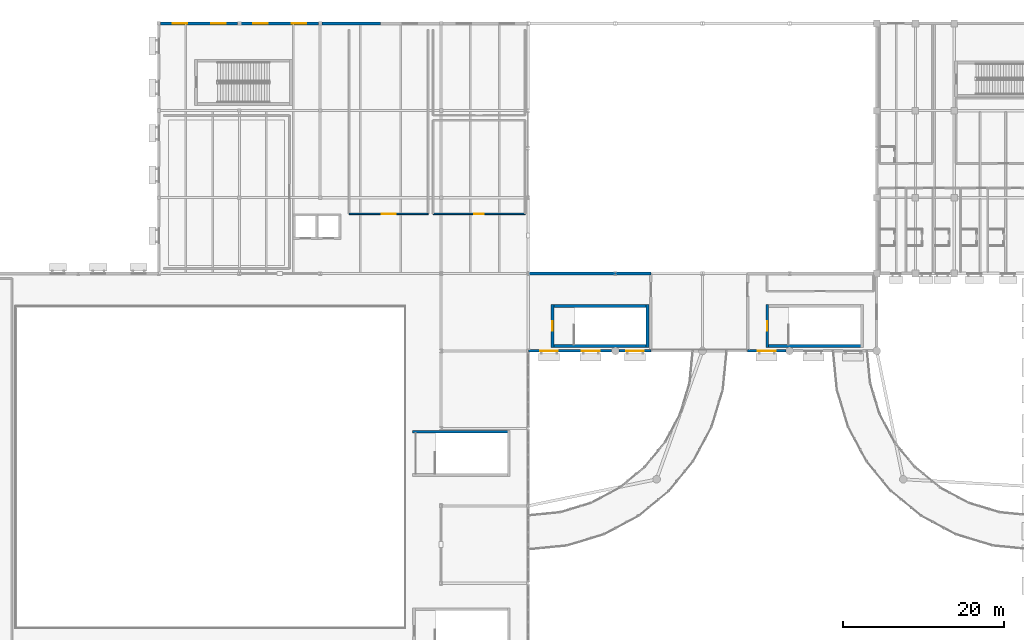
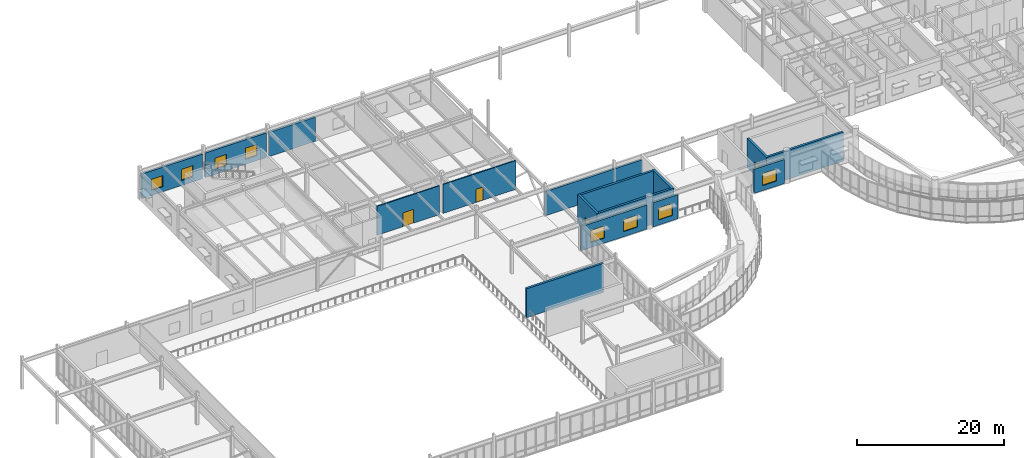
# One storey, part 44 of 68: 17 walls, 8 windows, 4 doors, 12 openings.
"""IFC4 building model written with IfcOpenShell, lengths in metres."""

from ifc_helpers import new_model, si_unit, direction, frame, frame_2d, origin, place, context, subcontext, project, spatial, rectangle, extrude, material, layer, layer_set, type_object, element, fill, save


model = new_model("IFC4")

# Units and contexts
model_context = context("Model", 3, precision=1e-05, world=origin(), true_north=direction((0.0, 1.0)))
body_context = subcontext(model_context, "Body", "Model", "MODEL_VIEW")
ifc_project = project(units=[si_unit("LENGTHUNIT", "METRE"), si_unit("AREAUNIT", "SQUARE_METRE"), si_unit("VOLUMEUNIT", "CUBIC_METRE"), si_unit("PLANEANGLEUNIT", "RADIAN"), si_unit("MASSUNIT", "GRAM", prefix="KILO")], contexts=[model_context])

# Site, building, storey
site_placement = place(None, origin())
site = spatial("IfcSite", under=ifc_project, at=site_placement, CompositionType="ELEMENT")
building_placement = place(site_placement, origin())
building = spatial("IfcBuilding", under=site, at=building_placement, Name="Veldera Park Congress Hotel", CompositionType="ELEMENT")
storey_placement = place(building_placement, frame((0.0, 0.0, 10.800048828125)))
storey = spatial("IfcBuildingStorey", under=building, at=storey_placement, Name="L02", CompositionType="ELEMENT", Elevation=10.800048828125)

# Wall, openings, windows
ifc_material_1 = material(Name="Cross-laminated timber CLT V2M1.1", Category="wood")
ifc_layer_1 = layer(ifc_material_1, 0.320068359375)
ifc_layer_set_1 = layer_set([ifc_layer_1], Name="Cross-laminated timber CLT V2M1.1")
wall_type_1 = type_object("IfcWallType", Name="EW-CLT320", PredefinedType="STANDARD", material=ifc_layer_set_1)
wall_1_placement = place(storey_placement, frame((-1.594482421875, 17.39990234375, 0.0), z_axis=(0.0, 0.0, 1.0), x_axis=(1.0, 0.0, 0.0)))
wall_1 = element("IfcWall", 1, at=wall_1_placement, inside=storey, type_object=wall_type_1, Name="L02 Exterior Wall EW3-L02-0084", PredefinedType="STANDARD", context=body_context, shape_type="SweptSolid", body=[
    extrude(rectangle(XDim=10.321533203125, YDim=0.320068359375, at=frame_2d((5.16064453125, 0.0))), origin(), (0.0, 0.0, 1.0), 4.015869140625),
])
opening_1_placement = place(wall_1_placement, frame((1.48046875, 0.0, 0.85009765625)))
opening_1 = element("IfcOpeningElement", 2, at=opening_1_placement, cuts=wall_1, Name="Opening WIN-2200", PredefinedType="OPENING", context=body_context, shape_type="SweptSolid", body=[
    extrude(rectangle(XDim=2.199951171875, YDim=2.0, at=frame_2d((1.10009765625, 1.0))), frame((0.0, 0.172119140625, 0.0), z_axis=(0.0, -1.0, 0.0), x_axis=(1.0, 0.0, 0.0)), (0.0, 0.0, 1.0), 0.343994140625),
])
opening_2_placement = place(wall_1_placement, frame((6.64111328125, 0.0, 0.85009765625)))
opening_2 = element("IfcOpeningElement", 3, at=opening_2_placement, cuts=wall_1, Name="Opening WIN-2200", PredefinedType="OPENING", context=body_context, shape_type="SweptSolid", body=[
    extrude(rectangle(XDim=2.199951171875, YDim=2.0, at=frame_2d((1.10009765625, 1.0))), frame((0.0, 0.172119140625, 0.0), z_axis=(0.0, -1.0, 0.0), x_axis=(1.0, 0.0, 0.0)), (0.0, 0.0, 1.0), 0.343994140625),
])
ifc_material_2 = material(Name="Low-E Triple Insulating Glass Unit (SHGC 0.22)", Category="glass")
window_type_1 = type_object("IfcWindowType", Name="WIN-2200", PartitioningType="DOUBLE_PANEL_VERTICAL", PredefinedType="WINDOW", material=ifc_material_2)
window_1_placement = place(opening_1_placement, origin())
window_1 = element("IfcWindow", 4, at=window_1_placement, inside=storey, type_object=window_type_1, Name="L02 Window WIN-2200 107", OverallHeight=2.0, OverallWidth=2.199951171875, PartitioningType="DOUBLE_PANEL_VERTICAL", PredefinedType="WINDOW", context=body_context, shape_type="SweptSolid", body=[
    extrude(rectangle(XDim=2.199951171875, YDim=2.0, at=frame_2d((1.10009765625, 1.0))), frame((0.0, 0.030029296875, 0.0), z_axis=(0.0, -1.0, 0.0), x_axis=(1.0, 0.0, 0.0)), (0.0, 0.0, 1.0), 0.06005859375),
])
fill(opening_1, window_1)
window_2_placement = place(opening_2_placement, origin())
window_2 = element("IfcWindow", 5, at=window_2_placement, inside=storey, type_object=window_type_1, Name="L02 Window WIN-2200 108", OverallHeight=2.0, OverallWidth=2.199951171875, PartitioningType="DOUBLE_PANEL_VERTICAL", PredefinedType="WINDOW", context=body_context, shape_type="SweptSolid", body=[
    extrude(rectangle(XDim=2.199951171875, YDim=2.0, at=frame_2d((1.10009765625, 1.0))), frame((0.0, 0.030029296875, 0.0), z_axis=(0.0, -1.0, 0.0), x_axis=(1.0, 0.0, 0.0)), (0.0, 0.0, 1.0), 0.06005859375),
])
fill(opening_2, window_2)

# Wall, opening, window
wall_2_placement = place(storey_placement, frame((9.673095703125, 17.39990234375, 0.0), z_axis=(0.0, 0.0, 1.0), x_axis=(1.0, 0.0, 0.0)))
wall_2 = element("IfcWall", 6, at=wall_2_placement, inside=storey, type_object=wall_type_1, Name="L02 Exterior Wall EW3-L02-0085", PredefinedType="STANDARD", context=body_context, shape_type="SweptSolid", body=[
    extrude(rectangle(XDim=3.927001953125, YDim=0.320068359375, at=frame_2d((1.96337890625, 0.0))), origin(), (0.0, 0.0, 1.0), 4.015869140625),
])
opening_3_placement = place(wall_2_placement, frame((0.863525390625, 0.0, 0.85009765625)))
opening_3 = element("IfcOpeningElement", 7, at=opening_3_placement, cuts=wall_2, Name="Opening WIN-2200", PredefinedType="OPENING", context=body_context, shape_type="SweptSolid", body=[
    extrude(rectangle(XDim=2.199951171875, YDim=2.0, at=frame_2d((1.10009765625, 1.0))), frame((0.0, 0.172119140625, 0.0), z_axis=(0.0, -1.0, 0.0), x_axis=(1.0, 0.0, 0.0)), (0.0, 0.0, 1.0), 0.343994140625),
])
window_3_placement = place(opening_3_placement, origin())
window_3 = element("IfcWindow", 8, at=window_3_placement, inside=storey, type_object=window_type_1, Name="L02 Window WIN-2200 109", OverallHeight=2.0, OverallWidth=2.199951171875, PartitioningType="DOUBLE_PANEL_VERTICAL", PredefinedType="WINDOW", context=body_context, shape_type="SweptSolid", body=[
    extrude(rectangle(XDim=2.199951171875, YDim=2.0, at=frame_2d((1.10009765625, 1.0))), frame((0.0, 0.030029296875, 0.0), z_axis=(0.0, -1.0, 0.0), x_axis=(1.0, 0.0, 0.0)), (0.0, 0.0, 1.0), 0.06005859375),
])
fill(opening_3, window_3)

wall_3_placement = place(storey_placement, frame((25.60009765625, 17.39990234375, 0.0), z_axis=(0.0, 0.0, 1.0), x_axis=(1.0, 0.0, 0.0)))
wall_3 = element("IfcWall", 9, at=wall_3_placement, inside=storey, type_object=wall_type_1, Name="L02 Exterior Wall EW3-L02-0088", PredefinedType="STANDARD", context=body_context, shape_type="SweptSolid", body=[
    extrude(rectangle(XDim=4.726806640625, YDim=0.320068359375, at=frame_2d((2.36328125, 0.0))), origin(), (0.0, 0.0, 1.0), 4.015869140625),
])
opening_4_placement = place(wall_3_placement, frame((1.263427734375, 0.0, 0.85009765625)))
opening_4 = element("IfcOpeningElement", 10, at=opening_4_placement, cuts=wall_3, Name="Opening WIN-2200", PredefinedType="OPENING", context=body_context, shape_type="SweptSolid", body=[
    extrude(rectangle(XDim=2.199951171875, YDim=2.0, at=frame_2d((1.10009765625, 1.0))), frame((0.0, 0.172119140625, 0.0), z_axis=(0.0, -1.0, 0.0), x_axis=(1.0, 0.0, 0.0)), (0.0, 0.0, 1.0), 0.343994140625),
])
window_4_placement = place(opening_4_placement, origin())
window_4 = element("IfcWindow", 11, at=window_4_placement, inside=storey, type_object=window_type_1, Name="L02 Window WIN-2200 110", OverallHeight=2.0, OverallWidth=2.199951171875, PartitioningType="DOUBLE_PANEL_VERTICAL", PredefinedType="WINDOW", context=body_context, shape_type="SweptSolid", body=[
    extrude(rectangle(XDim=2.199951171875, YDim=2.0, at=frame_2d((1.10009765625, 1.0))), frame((0.0, 0.030029296875, 0.0), z_axis=(0.0, -1.0, 0.0), x_axis=(1.0, 0.0, 0.0)), (0.0, 0.0, 1.0), 0.06005859375),
])
fill(opening_4, window_4)

# Walls
wall_4_placement = place(storey_placement, frame((13.60009765625, 27.0, 0.0), z_axis=(0.0, 0.0, 1.0), x_axis=(-1.0, 0.0, 0.0)))
element("IfcWall", 12, at=wall_4_placement, inside=storey, type_object=wall_type_1, Name="L02 Exterior Wall EW3-L02-0091", PredefinedType="STANDARD", context=body_context, shape_type="SweptSolid", body=[
    extrude(rectangle(XDim=4.3916015625, YDim=0.320068359375, at=frame_2d((2.19580078125, 0.0))), origin(), (0.0, 0.0, 1.0), 4.015869140625),
])
wall_5_placement = place(storey_placement, frame((9.19140625, 27.0, 0.0), z_axis=(0.0, 0.0, 1.0), x_axis=(-1.0, 0.0, 0.0)))
element("IfcWall", 13, at=wall_5_placement, inside=storey, type_object=wall_type_1, Name="L02 Exterior Wall EW3-L02-0092", PredefinedType="STANDARD", context=body_context, shape_type="SweptSolid", body=[
    extrude(rectangle(XDim=10.785888671875, YDim=0.320068359375, at=frame_2d((5.39306640625, 0.0))), origin(), (0.0, 0.0, 1.0), 4.015869140625),
])
ifc_material_3 = material(Name="Architectural Sandstone Cladding (ASTM C616)", Category="masonry")
ifc_layer_2 = layer(ifc_material_3, 0.360107421875)
ifc_layer_set_2 = layer_set([ifc_layer_2], Name="Architectural Sandstone Cladding (ASTM C616)")
wall_type_2 = type_object("IfcWallType", Name="EW-STONE360", PredefinedType="STANDARD", material=ifc_layer_set_2)
wall_6_placement = place(storey_placement, frame((-19.89794921875, 58.0, 0.0), z_axis=(0.0, 0.0, 1.0), x_axis=(-1.0, 0.0, 0.0)))
element("IfcWall", 14, at=wall_6_placement, inside=storey, type_object=wall_type_2, Name="L02 Exterior Wall EW3-L02-0081", PredefinedType="STANDARD", context=body_context, shape_type="SweptSolid", body=[
    extrude(rectangle(XDim=7.279052734375, YDim=0.360107421875, at=frame_2d((3.6396484375, 0.0))), origin(), (0.0, 0.0, 1.0), 4.015869140625),
])

# Wall, openings, windows
wall_7_placement = place(storey_placement, frame((-27.623046875, 58.0, 0.0), z_axis=(0.0, 0.0, 1.0), x_axis=(-1.0, 0.0, 0.0)))
wall_7 = element("IfcWall", 15, at=wall_7_placement, inside=storey, type_object=wall_type_2, Name="L02 Exterior Wall EW3-L02-0082", PredefinedType="STANDARD", context=body_context, shape_type="SweptSolid", body=[
    extrude(rectangle(XDim=9.553955078125, YDim=0.360107421875, at=frame_2d((4.77685546875, 0.0))), origin(), (0.0, 0.0, 1.0), 4.093994140625),
])
opening_5_placement = place(wall_7_placement, frame((1.488525390625, 0.0, 0.85009765625)))
opening_5 = element("IfcOpeningElement", 16, at=opening_5_placement, cuts=wall_7, Name="Opening WIN-1800", PredefinedType="OPENING", context=body_context, shape_type="SweptSolid", body=[
    extrude(rectangle(XDim=1.800048828125, YDim=1.85009765625, at=frame_2d((0.89990234375, 0.925048828125))), frame((0.0, 0.192138671875, 0.0), z_axis=(0.0, -1.0, 0.0), x_axis=(1.0, 0.0, 0.0)), (0.0, 0.0, 1.0), 0.384033203125),
])
opening_6_placement = place(wall_7_placement, frame((6.265380859375, 0.0, 0.85009765625)))
opening_6 = element("IfcOpeningElement", 17, at=opening_6_placement, cuts=wall_7, Name="Opening WIN-1800", PredefinedType="OPENING", context=body_context, shape_type="SweptSolid", body=[
    extrude(rectangle(XDim=1.800048828125, YDim=1.85009765625, at=frame_2d((0.89990234375, 0.925048828125))), frame((0.0, 0.192138671875, 0.0), z_axis=(0.0, -1.0, 0.0), x_axis=(1.0, 0.0, 0.0)), (0.0, 0.0, 1.0), 0.384033203125),
])
window_type_2 = type_object("IfcWindowType", Name="WIN-1800", PartitioningType="SINGLE_PANEL", PredefinedType="WINDOW", material=ifc_material_2)
window_5_placement = place(opening_5_placement, origin())
window_5 = element("IfcWindow", 18, at=window_5_placement, inside=storey, type_object=window_type_2, Name="L02 Window WIN-1800 103", OverallHeight=1.85009765625, OverallWidth=1.800048828125, PartitioningType="SINGLE_PANEL", PredefinedType="WINDOW", context=body_context, shape_type="SweptSolid", body=[
    extrude(rectangle(XDim=1.800048828125, YDim=1.85009765625, at=frame_2d((0.89990234375, 0.925048828125))), frame((0.0, 0.030029296875, 0.0), z_axis=(0.0, -1.0, 0.0), x_axis=(1.0, 0.0, 0.0)), (0.0, 0.0, 1.0), 0.06005859375),
])
fill(opening_5, window_5)
window_6_placement = place(opening_6_placement, origin())
window_6 = element("IfcWindow", 19, at=window_6_placement, inside=storey, type_object=window_type_2, Name="L02 Window WIN-1800 104", OverallHeight=1.85009765625, OverallWidth=1.800048828125, PartitioningType="SINGLE_PANEL", PredefinedType="WINDOW", context=body_context, shape_type="SweptSolid", body=[
    extrude(rectangle(XDim=1.800048828125, YDim=1.85009765625, at=frame_2d((0.89990234375, 0.925048828125))), frame((0.0, 0.030029296875, 0.0), z_axis=(0.0, -1.0, 0.0), x_axis=(1.0, 0.0, 0.0)), (0.0, 0.0, 1.0), 0.06005859375),
])
fill(opening_6, window_6)

wall_8_placement = place(storey_placement, frame((-37.623046875, 58.0, 0.0), z_axis=(0.0, 0.0, 1.0), x_axis=(-1.0, 0.0, 0.0)))
wall_8 = element("IfcWall", 20, at=wall_8_placement, inside=storey, type_object=wall_type_2, Name="L02 Exterior Wall EW3-L02-0083", PredefinedType="STANDARD", context=body_context, shape_type="SweptSolid", body=[
    extrude(rectangle(XDim=9.553955078125, YDim=0.360107421875, at=frame_2d((4.77685546875, 0.0))), origin(), (0.0, 0.0, 1.0), 4.093994140625),
])
opening_7_placement = place(wall_8_placement, frame((1.488525390625, 0.0, 0.85009765625)))
opening_7 = element("IfcOpeningElement", 21, at=opening_7_placement, cuts=wall_8, Name="Opening WIN-1800", PredefinedType="OPENING", context=body_context, shape_type="SweptSolid", body=[
    extrude(rectangle(XDim=1.800048828125, YDim=1.85009765625, at=frame_2d((0.89990234375, 0.925048828125))), frame((0.0, 0.192138671875, 0.0), z_axis=(0.0, -1.0, 0.0), x_axis=(1.0, 0.0, 0.0)), (0.0, 0.0, 1.0), 0.384033203125),
])
opening_8_placement = place(wall_8_placement, frame((6.265380859375, 0.0, 0.85009765625)))
opening_8 = element("IfcOpeningElement", 22, at=opening_8_placement, cuts=wall_8, Name="Opening WIN-1800", PredefinedType="OPENING", context=body_context, shape_type="SweptSolid", body=[
    extrude(rectangle(XDim=1.800048828125, YDim=1.85009765625, at=frame_2d((0.89990234375, 0.925048828125))), frame((0.0, 0.192138671875, 0.0), z_axis=(0.0, -1.0, 0.0), x_axis=(1.0, 0.0, 0.0)), (0.0, 0.0, 1.0), 0.384033203125),
])
window_7_placement = place(opening_7_placement, origin())
window_7 = element("IfcWindow", 23, at=window_7_placement, inside=storey, type_object=window_type_2, Name="L02 Window WIN-1800 105", OverallHeight=1.85009765625, OverallWidth=1.800048828125, PartitioningType="SINGLE_PANEL", PredefinedType="WINDOW", context=body_context, shape_type="SweptSolid", body=[
    extrude(rectangle(XDim=1.800048828125, YDim=1.85009765625, at=frame_2d((0.89990234375, 0.925048828125))), frame((0.0, 0.030029296875, 0.0), z_axis=(0.0, -1.0, 0.0), x_axis=(1.0, 0.0, 0.0)), (0.0, 0.0, 1.0), 0.06005859375),
])
fill(opening_7, window_7)
window_8_placement = place(opening_8_placement, origin())
window_8 = element("IfcWindow", 24, at=window_8_placement, inside=storey, type_object=window_type_2, Name="L02 Window WIN-1800 106", OverallHeight=1.85009765625, OverallWidth=1.800048828125, PartitioningType="SINGLE_PANEL", PredefinedType="WINDOW", context=body_context, shape_type="SweptSolid", body=[
    extrude(rectangle(XDim=1.800048828125, YDim=1.85009765625, at=frame_2d((0.89990234375, 0.925048828125))), frame((0.0, 0.030029296875, 0.0), z_axis=(0.0, -1.0, 0.0), x_axis=(1.0, 0.0, 0.0)), (0.0, 0.0, 1.0), 0.06005859375),
])
fill(opening_8, window_8)

# Wall, opening, door
ifc_material_4 = material(Name="Fire-Rated Gypsum Board on Cold-Formed Steel Studs", Category="steel")
ifc_layer_3 = layer(ifc_material_4, 0.179931640625)
ifc_layer_set_3 = layer_set([ifc_layer_3], Name="Fire-Rated Gypsum Board on Cold-Formed Steel Studs")
wall_type_3 = type_object("IfcWallType", Name="IW-CORR180", PredefinedType="PARTITIONING", material=ifc_layer_set_3)
wall_9_placement = place(storey_placement, frame((-23.800048828125, 34.39990234375, 0.0), z_axis=(0.0, 0.0, 1.0), x_axis=(1.0, 0.0, 0.0)))
wall_9 = element("IfcWall", 25, at=wall_9_placement, inside=storey, type_object=wall_type_3, Name="L02 Partition Wall IW3-L02-00179", PredefinedType="PARTITIONING", context=body_context, shape_type="SweptSolid", body=[
    extrude(rectangle(XDim=9.800048828125, YDim=0.179931640625, at=frame_2d((4.89990234375, 0.0))), origin(), (0.0, 0.0, 1.0), 4.800048828125),
])
opening_9_placement = place(wall_9_placement, frame((4.050048828125, 0.0, 0.0)))
opening_9 = element("IfcOpeningElement", 26, at=opening_9_placement, cuts=wall_9, Name="Opening ID-HALL170", PredefinedType="OPENING", context=body_context, shape_type="SweptSolid", body=[
    extrude(rectangle(XDim=1.699951171875, YDim=2.300048828125, at=frame_2d((0.85009765625, 1.14990234375))), frame((0.0, 0.10205078125, 0.0), z_axis=(0.0, -1.0, 0.0), x_axis=(1.0, 0.0, 0.0)), (0.0, 0.0, 1.0), 0.203857421875),
])
ifc_material_5 = material(Name="Solid Core White Oak Architectural Door", Category="wood")
door_type_1 = type_object("IfcDoorType", Name="ID-HALL170", OperationType="DOUBLE_DOOR_SINGLE_SWING", PredefinedType="DOOR", material=ifc_material_5)
door_1_placement = place(opening_9_placement, origin())
door_1 = element("IfcDoor", 27, at=door_1_placement, inside=storey, type_object=door_type_1, Name="L02 Civic Colloquium Roundtable Chamber Door ID3-L02-0064 (DR3-ID3-L02-0064)", OperationType="DOUBLE_DOOR_SINGLE_SWING", OverallHeight=2.300048828125, OverallWidth=1.699951171875, PredefinedType="DOOR", context=body_context, shape_type="SweptSolid", body=[
    extrude(rectangle(XDim=1.699951171875, YDim=2.300048828125, at=frame_2d((0.85009765625, 1.14990234375))), frame((0.0, 0.02490234375, 0.0), z_axis=(0.0, -1.0, 0.0), x_axis=(1.0, 0.0, 0.0)), (0.0, 0.0, 1.0), 0.050048828125),
])
fill(opening_9, door_1)

wall_10_placement = place(storey_placement, frame((-13.39990234375, 34.39990234375, 0.0), z_axis=(0.0, 0.0, 1.0), x_axis=(1.0, 0.0, 0.0)))
wall_10 = element("IfcWall", 28, at=wall_10_placement, inside=storey, type_object=wall_type_3, Name="L02 Partition Wall IW3-L02-00182", PredefinedType="PARTITIONING", context=body_context, shape_type="SweptSolid", body=[
    extrude(rectangle(XDim=11.39990234375, YDim=0.179931640625, at=frame_2d((5.699951171875, 0.0))), origin(), (0.0, 0.0, 1.0), 4.800048828125),
])
opening_10_placement = place(wall_10_placement, frame((5.125, 0.0, 0.0)))
opening_10 = element("IfcOpeningElement", 29, at=opening_10_placement, cuts=wall_10, Name="Opening ID-MEET115", PredefinedType="OPENING", context=body_context, shape_type="SweptSolid", body=[
    extrude(rectangle(XDim=1.14990234375, YDim=2.199951171875, at=frame_2d((0.574951171875, 1.10009765625))), frame((0.0, 0.10205078125, 0.0), z_axis=(0.0, -1.0, 0.0), x_axis=(1.0, 0.0, 0.0)), (0.0, 0.0, 1.0), 0.203857421875),
])
door_type_2 = type_object("IfcDoorType", Name="ID-MEET115", OperationType="NOTDEFINED", PredefinedType="DOOR", material=ifc_material_5)
door_2_placement = place(opening_10_placement, origin())
door_2 = element("IfcDoor", 30, at=door_2_placement, inside=storey, type_object=door_type_2, Name="L02 Summit Delegate Lounge and Espresso Bar Door ID3-L02-0065 (DR3-ID3-L02-0065)", OperationType="SINGLE_SWING_LEFT", OverallHeight=2.199951171875, OverallWidth=1.14990234375, PredefinedType="DOOR", context=body_context, shape_type="SweptSolid", body=[
    extrude(rectangle(XDim=1.14990234375, YDim=2.199951171875, at=frame_2d((0.574951171875, 1.10009765625))), frame((0.0, 0.02490234375, 0.0), z_axis=(0.0, -1.0, 0.0), x_axis=(1.0, 0.0, 0.0)), (0.0, 0.0, 1.0), 0.050048828125),
])
fill(opening_10, door_2)

# Walls
ifc_material_6 = material(Name="Concrete f'c 40 MPa (5,800 psi)", Category="concrete")
ifc_layer_4 = layer(ifc_material_6, 0.35009765625)
ifc_layer_set_4 = layer_set([ifc_layer_4], Name="Concrete f'c 40 MPa (5,800 psi)")
wall_type_4 = type_object("IfcWallType", Name="SW-CORE350", PredefinedType="SHEAR", material=ifc_layer_set_4)
wall_11_placement = place(storey_placement, frame((1.25, 18.02490234375, 0.0), z_axis=(0.0, 0.0, 1.0), x_axis=(1.0, 0.0, 0.0)))
element("IfcWall", 31, at=wall_11_placement, inside=storey, type_object=wall_type_4, Name="Stair ST6 Core Wall L02-S", PredefinedType="SHEAR", context=body_context, shape_type="SweptSolid", body=[
    extrude(rectangle(XDim=12.10009765625, YDim=0.35009765625, at=frame_2d((6.050048828125, 0.0))), origin(), (0.0, 0.0, 1.0), 4.800048828125),
])
wall_12_placement = place(storey_placement, frame((13.175048828125, 17.85009765625, 0.0), z_axis=(0.0, 0.0, 1.0), x_axis=(0.0, 1.0, 0.0)))
element("IfcWall", 32, at=wall_12_placement, inside=storey, type_object=wall_type_4, Name="Stair ST6 Core Wall L02-E", PredefinedType="SHEAR", context=body_context, shape_type="SweptSolid", body=[
    extrude(rectangle(XDim=5.2998046875, YDim=0.35009765625, at=frame_2d((2.64990234375, 0.0))), origin(), (0.0, 0.0, 1.0), 4.800048828125),
])
wall_13_placement = place(storey_placement, frame((13.35009765625, 22.97509765625, 0.0), z_axis=(0.0, 0.0, 1.0), x_axis=(-1.0, 0.0, 0.0)))
element("IfcWall", 33, at=wall_13_placement, inside=storey, type_object=wall_type_4, Name="Stair ST6 Core Wall L02-N", PredefinedType="SHEAR", context=body_context, shape_type="SweptSolid", body=[
    extrude(rectangle(XDim=12.10009765625, YDim=0.35009765625, at=frame_2d((6.050048828125, 0.0))), origin(), (0.0, 0.0, 1.0), 4.800048828125),
])

# Wall, opening, door
wall_14_placement = place(storey_placement, frame((1.425048828125, 23.14990234375, 0.0), z_axis=(0.0, 0.0, 1.0), x_axis=(0.0, -1.0, 0.0)))
wall_14 = element("IfcWall", 34, at=wall_14_placement, inside=storey, type_object=wall_type_4, Name="Stair ST6 Core Wall L02-W", PredefinedType="SHEAR", context=body_context, shape_type="SweptSolid", body=[
    extrude(rectangle(XDim=5.2998046875, YDim=0.35009765625, at=frame_2d((2.64990234375, 0.0))), origin(), (0.0, 0.0, 1.0), 4.800048828125),
])
opening_11_placement = place(wall_14_placement, frame((2.050048828125, 0.0, 0.0)))
opening_11 = element("IfcOpeningElement", 35, at=opening_11_placement, cuts=wall_14, Name="Opening ID-STAIR120", PredefinedType="OPENING", context=body_context, shape_type="SweptSolid", body=[
    extrude(rectangle(XDim=1.199951171875, YDim=2.199951171875, at=frame_2d((0.60009765625, 1.10009765625))), frame((0.0, 0.18701171875, 0.0), z_axis=(0.0, -1.0, 0.0), x_axis=(1.0, 0.0, 0.0)), (0.0, 0.0, 1.0), 0.3740234375),
])
ifc_material_7 = material(Name="Hollow Metal Fire-Rated Steel Door", Category="steel")
door_type_3 = type_object("IfcDoorType", Name="ID-STAIR120", OperationType="NOTDEFINED", PredefinedType="DOOR", material=ifc_material_7)
door_3_placement = place(opening_11_placement, origin())
door_3 = element("IfcDoor", 36, at=door_3_placement, inside=storey, type_object=door_type_3, Name="L02 Stair ST6 Fire Door (DR3-SD-ST6-L02)", OperationType="SINGLE_SWING_LEFT", OverallHeight=2.199951171875, OverallWidth=1.199951171875, PredefinedType="DOOR", context=body_context, shape_type="SweptSolid", body=[
    extrude(rectangle(XDim=1.199951171875, YDim=2.199951171875, at=frame_2d((0.60009765625, 1.10009765625))), frame((0.0, 0.02490234375, 0.0), z_axis=(0.0, -1.0, 0.0), x_axis=(1.0, 0.0, 0.0)), (0.0, 0.0, 1.0), 0.050048828125),
])
fill(opening_11, door_3)

# Wall
wall_15_placement = place(storey_placement, frame((27.85009765625, 18.02490234375, 0.0), z_axis=(0.0, 0.0, 1.0), x_axis=(1.0, 0.0, 0.0)))
element("IfcWall", 37, at=wall_15_placement, inside=storey, type_object=wall_type_4, Name="Stair ST7 Core Wall L02-S", PredefinedType="SHEAR", context=body_context, shape_type="SweptSolid", body=[
    extrude(rectangle(XDim=12.099853515625, YDim=0.35009765625, at=frame_2d((6.0498046875, 0.0))), origin(), (0.0, 0.0, 1.0), 4.800048828125),
])

# Wall, opening, door
wall_16_placement = place(storey_placement, frame((28.02490234375, 23.14990234375, 0.0), z_axis=(0.0, 0.0, 1.0), x_axis=(0.0, -1.0, 0.0)))
wall_16 = element("IfcWall", 38, at=wall_16_placement, inside=storey, type_object=wall_type_4, Name="Stair ST7 Core Wall L02-W", PredefinedType="SHEAR", context=body_context, shape_type="SweptSolid", body=[
    extrude(rectangle(XDim=5.2998046875, YDim=0.35009765625, at=frame_2d((2.64990234375, 0.0))), origin(), (0.0, 0.0, 1.0), 4.800048828125),
])
opening_12_placement = place(wall_16_placement, frame((2.050048828125, 0.0, 0.0)))
opening_12 = element("IfcOpeningElement", 39, at=opening_12_placement, cuts=wall_16, Name="Opening ID-STAIR120", PredefinedType="OPENING", context=body_context, shape_type="SweptSolid", body=[
    extrude(rectangle(XDim=1.199951171875, YDim=2.199951171875, at=frame_2d((0.60009765625, 1.10009765625))), frame((0.0, 0.18701171875, 0.0), z_axis=(0.0, -1.0, 0.0), x_axis=(1.0, 0.0, 0.0)), (0.0, 0.0, 1.0), 0.3740234375),
])
door_4_placement = place(opening_12_placement, origin())
door_4 = element("IfcDoor", 40, at=door_4_placement, inside=storey, type_object=door_type_3, Name="L02 Stair ST7 Fire Door (DR3-SD-ST7-L02)", OperationType="SINGLE_SWING_LEFT", OverallHeight=2.199951171875, OverallWidth=1.199951171875, PredefinedType="DOOR", context=body_context, shape_type="SweptSolid", body=[
    extrude(rectangle(XDim=1.199951171875, YDim=2.199951171875, at=frame_2d((0.60009765625, 1.10009765625))), frame((0.0, 0.02490234375, 0.0), z_axis=(0.0, -1.0, 0.0), x_axis=(1.0, 0.0, 0.0)), (0.0, 0.0, 1.0), 0.050048828125),
])
fill(opening_12, door_4)

# Wall
wall_17_placement = place(storey_placement, frame((-3.85009765625, 7.375, 0.0), z_axis=(0.0, 0.0, 1.0), x_axis=(-1.0, 0.0, 0.0)))
element("IfcWall", 41, at=wall_17_placement, inside=storey, type_object=wall_type_4, Name="Monumental Stair ST9 Wall L02-N", PredefinedType="SHEAR", context=body_context, shape_type="SweptSolid", body=[
    extrude(rectangle(XDim=12.099853515625, YDim=0.35009765625, at=frame_2d((6.0498046875, 0.0))), origin(), (0.0, 0.0, 1.0), 4.800048828125),
])

save(model, "model.ifc")
